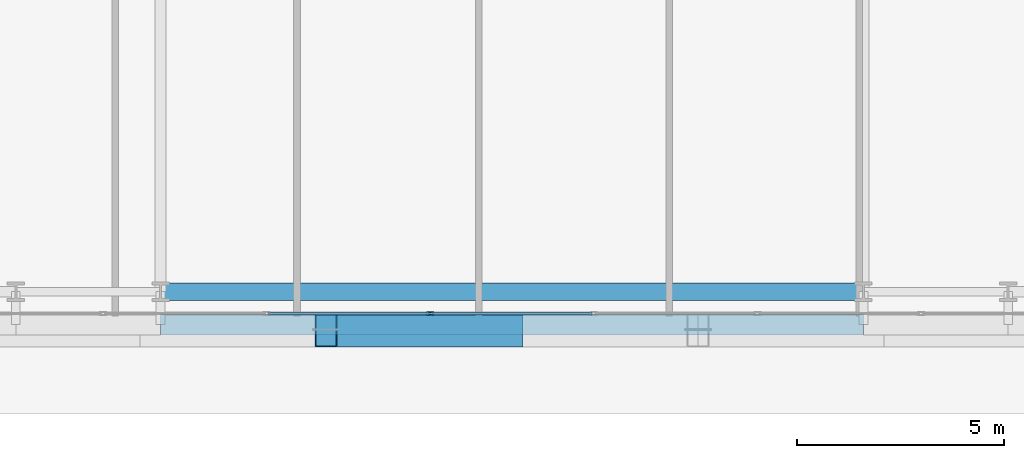
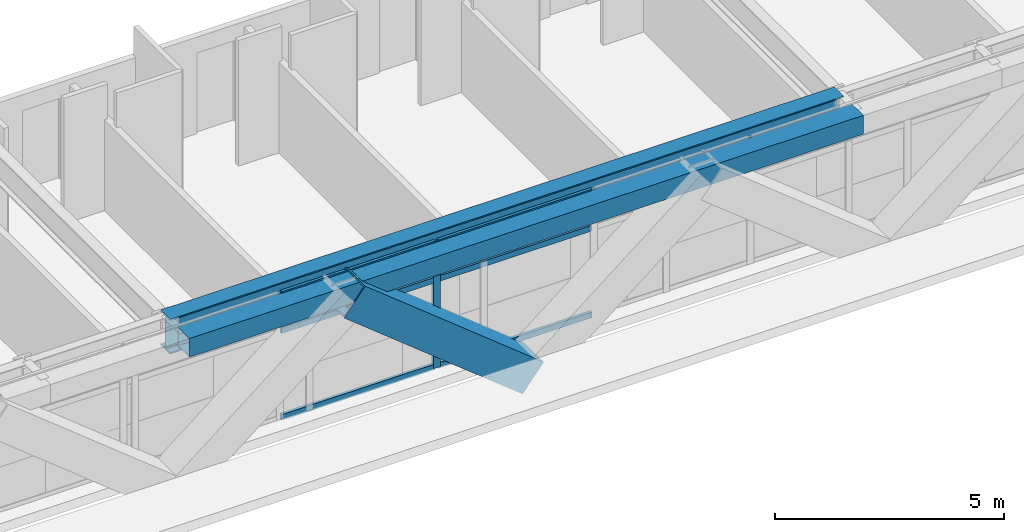
# One storey, part 4 of 35: 8 members, 2 beams, 1 element without a shape of its own.
"""IFC4 building model written with IfcOpenShell, lengths in metres."""

import ifcopenshell
import ifcopenshell.guid

model = None  # the IFC model being written
_history = None  # IfcOwnerHistory: only IFC2X3 demands one
_inside = {}  # id of a spatial element -> (the spatial element, [elements in it])
_under = {}  # id of a project, library or spatial element -> (it, [spatial elements below it])
_declared = {}  # id of a project -> (the project, [libraries it declares])
_typed = {}  # id of a type object -> (the type object, [elements of that type])
_made_of = {}  # id of a material, layer set ... -> (it, [elements and type objects made of it])


def new_model(schema):
    """Start an empty IFC model of exactly this schema.

    Asked for "IFC4X3", IfcOpenShell would pick the latest addendum, in which some entities
    have other attributes; the version numbers below select the first issue.
    IFC2X3 requires an IfcOwnerHistory on every rooted entity: one is made here for all.
    """
    global model, _history
    if schema == "IFC4X3":
        model = ifcopenshell.file(schema_version=(4, 3, 0, 0))
    else:
        model = ifcopenshell.file(schema=schema)
    _inside.clear()
    _under.clear()
    _declared.clear()
    _typed.clear()
    _made_of.clear()
    _history = None
    if model.schema == "IFC2X3":
        org = make("IfcOrganization", Name="unknown")
        user = make(
            "IfcPersonAndOrganization",
            ThePerson=make("IfcPerson", FamilyName="unknown"),
            TheOrganization=org,
        )
        app = make(
            "IfcApplication",
            ApplicationDeveloper=org,
            Version="unknown",
            ApplicationFullName="unknown",
            ApplicationIdentifier="unknown",
        )
        _history = make(
            "IfcOwnerHistory",
            OwningUser=user,
            OwningApplication=app,
            ChangeAction="ADDED",
            CreationDate=0,
        )
    return model


def make(cls, **values):
    """One entity of the class cls with the attributes given. An attribute that is None is left unset."""
    return model.create_entity(
        cls, **{name: value for name, value in values.items() if value is not None}
    )


def rooted(cls, **values):
    """An entity with a GlobalId (a new one), such as an element, a storey or a relation."""
    return make(cls, GlobalId=ifcopenshell.guid.new(), OwnerHistory=_history, **values)


def si_unit(unit_type, name, prefix=None):
    """IfcSIUnit, for example si_unit("LENGTHUNIT", "METRE", prefix="MILLI")."""
    return make("IfcSIUnit", UnitType=unit_type, Prefix=prefix, Name=name)


def assignment(units):
    """IfcUnitAssignment: the units of a project."""
    return None if units is None else make("IfcUnitAssignment", Units=units)


def point(xyz):
    """IfcCartesianPoint."""
    return None if xyz is None else make("IfcCartesianPoint", Coordinates=xyz)


def direction(xyz):
    """IfcDirection."""
    return None if xyz is None else make("IfcDirection", DirectionRatios=xyz)


def frame(location, z_axis=None, x_axis=None):
    """IfcAxis2Placement3D, a coordinate frame: its origin and axes. An axis left out is left unset."""
    return make(
        "IfcAxis2Placement3D",
        Location=point(location),
        Axis=direction(z_axis),
        RefDirection=direction(x_axis),
    )


def frame_2d(location, x_axis=None):
    """IfcAxis2Placement2D, a coordinate frame in the plane: its origin and x axis."""
    return make(
        "IfcAxis2Placement2D", Location=point(location), RefDirection=direction(x_axis)
    )


def origin():
    """The frame at (0, 0, 0) with its axes left unset."""
    return frame((0.0, 0.0, 0.0))


def origin_2d():
    """The frame at (0, 0) in the plane with its x axis left unset."""
    return frame_2d((0.0, 0.0))


def place(relative_to, where):
    """IfcLocalPlacement: puts the frame where relative to a parent placement (None: the world)."""
    return make(
        "IfcLocalPlacement", PlacementRelTo=relative_to, RelativePlacement=where
    )


def context(
    kind, dimensions, precision=None, world=None, true_north=None, identifier=None
):
    """IfcGeometricRepresentationContext, for example the 3D "Model" context."""
    return make(
        "IfcGeometricRepresentationContext",
        ContextIdentifier=identifier,
        ContextType=kind,
        CoordinateSpaceDimension=dimensions,
        Precision=precision,
        WorldCoordinateSystem=world,
        TrueNorth=true_north,
    )


def subcontext(parent, identifier, kind, view, scale=None):
    """IfcGeometricRepresentationSubContext, for example "Body" below "Model"."""
    return make(
        "IfcGeometricRepresentationSubContext",
        ContextIdentifier=identifier,
        ContextType=kind,
        ParentContext=parent,
        TargetScale=scale,
        TargetView=view,
    )


def project(units=None, contexts=None):
    """IfcProject with its units and contexts."""
    return rooted(
        "IfcProject",
        Name="project",
        RepresentationContexts=contexts,
        UnitsInContext=assignment(units),
    )


def spatial(cls, under=None, at=None, **own):
    """A site, building, storey or space (cls), placed at a placement, below another one or the project."""
    s = rooted(cls, ObjectPlacement=at, **own)
    if under is not None:
        _under.setdefault(under.id(), (under, []))[1].append(s)
    return s


def profile(cls, at=None, kind="AREA", **sizes):
    """A parametric profile (cls). Its sizes go by their IFC names, for example OverallWidth=200.0."""
    return make(cls, ProfileType=kind, Position=at, **sizes)


def hollow_rectangle(**sizes):
    """IfcRectangleHollowProfileDef."""
    return profile("IfcRectangleHollowProfileDef", **sizes)


def i_section(**sizes):
    """IfcIShapeProfileDef."""
    return profile("IfcIShapeProfileDef", **sizes)


def extrude(swept, where, along, depth):
    """IfcExtrudedAreaSolid: the profile swept, set in the frame where, extruded along a direction by depth."""
    return make(
        "IfcExtrudedAreaSolid",
        SweptArea=swept,
        Position=where,
        ExtrudedDirection=direction(along),
        Depth=depth,
    )


def shape(context_of_items, identifier, shape_type, items):
    """IfcShapeRepresentation: the items that make up one representation, for example the "Body"."""
    return make(
        "IfcShapeRepresentation",
        ContextOfItems=context_of_items,
        RepresentationIdentifier=identifier,
        RepresentationType=shape_type,
        Items=items,
    )


def source(mapping_origin, context_of_items, identifier, shape_type, items):
    """IfcRepresentationMap: a shape defined once, which mapped items show again and again."""
    return make(
        "IfcRepresentationMap",
        MappingOrigin=mapping_origin,
        MappedRepresentation=shape(context_of_items, identifier, shape_type, items),
    )


def transform(
    local_origin,
    x_axis=None,
    y_axis=None,
    z_axis=None,
    scale=None,
    scale2=None,
    scale3=None,
    uniform=True,
):
    """IfcCartesianTransformationOperator3D, or its non-uniform kind. x_axis, y_axis, z_axis: its Axis1, 2, 3."""
    if uniform:
        return make(
            "IfcCartesianTransformationOperator3D",
            Axis1=direction(x_axis),
            Axis2=direction(y_axis),
            LocalOrigin=point(local_origin),
            Scale=scale,
            Axis3=direction(z_axis),
        )
    return make(
        "IfcCartesianTransformationOperator3DnonUniform",
        Axis1=direction(x_axis),
        Axis2=direction(y_axis),
        LocalOrigin=point(local_origin),
        Scale=scale,
        Axis3=direction(z_axis),
        Scale2=scale2,
        Scale3=scale3,
    )


def mapped(mapping_source, mapping_target):
    """IfcMappedItem: shows the shape of a source again, moved by a transform."""
    return make(
        "IfcMappedItem", MappingSource=mapping_source, MappingTarget=mapping_target
    )


def material(Name=None, Category=None):
    """IfcMaterial."""
    return make("IfcMaterial", Name=Name, Category=Category)


def layer(
    of_material, thickness, ventilated=None, Name=None, Category=None, Priority=None
):
    """IfcMaterialLayer: one layer of a wall or slab, of a material (None: an air gap)."""
    return make(
        "IfcMaterialLayer",
        Material=of_material,
        LayerThickness=thickness,
        IsVentilated=ventilated,
        Name=Name,
        Category=Category,
        Priority=Priority,
    )


def layer_set(layers, Name=None):
    """IfcMaterialLayerSet."""
    return make("IfcMaterialLayerSet", MaterialLayers=layers, LayerSetName=Name)


def material_profile(
    of_material, cross_section, Name=None, Category=None, Priority=None
):
    """IfcMaterialProfile: a cross section and its material."""
    return make(
        "IfcMaterialProfile",
        Name=Name,
        Material=of_material,
        Profile=cross_section,
        Priority=Priority,
        Category=Category,
    )


def profile_set(profiles, Name=None, composite=None):
    """IfcMaterialProfileSet."""
    return make(
        "IfcMaterialProfileSet",
        Name=Name,
        MaterialProfiles=profiles,
        CompositeProfile=composite,
    )


def made_of(thing, what):
    """Note that an element or type object is made of a material, layer set ...; save() writes the relation."""
    if what is not None:
        _made_of.setdefault(what.id(), (what, []))[1].append(thing)
    return thing


def type_object(cls, material=None, **own):
    """A type object (cls), such as IfcWallType, which elements share."""
    return made_of(rooted(cls, **own), material)


def element(
    cls,
    number,
    at=None,
    inside=None,
    cuts=None,
    type_object=None,
    material=None,
    context=None,
    identifier="Body",
    shape_type=None,
    held_by="IfcProductDefinitionShape",
    body=None,
    shapes=None,
    **own,
):
    """One element of the class cls, such as IfcWall. Its Tag is "e" and its number.

    at: its placement. inside: the storey or other place that contains it. cuts: it is an
    opening in that element (IfcRelVoidsElement). A single representation is given by context,
    identifier, shape_type and body (its items); several are given by shapes. held_by: the class
    of the entity that holds the representations. save() writes the other relations.
    """
    e = rooted(cls, Tag="e%d" % number, ObjectPlacement=at, **own)
    if body is not None:
        shapes = [shape(context, identifier, shape_type, body)]
    if shapes is not None:
        e.Representation = make(held_by, Representations=shapes)
    if inside is not None:
        _inside.setdefault(inside.id(), (inside, []))[1].append(e)
    if cuts is not None:
        rooted(
            "IfcRelVoidsElement", RelatingBuildingElement=cuts, RelatedOpeningElement=e
        )
    if type_object is not None:
        _typed.setdefault(type_object.id(), (type_object, []))[1].append(e)
    return made_of(e, material)


def aggregate(whole, parts):
    """IfcRelAggregates: a whole, such as a stair, and the parts it consists of."""
    return rooted("IfcRelAggregates", RelatingObject=whole, RelatedObjects=parts)


def save(model, path):
    """Write the relations noted so far, then the file.

    IfcRelAggregates (storeys below a building ...), IfcRelContainedInSpatialStructure (elements
    in a storey), IfcRelDefinesByType, IfcRelAssociatesMaterial and IfcRelDeclares: one each for
    every whole, place, type object, material and project.
    """
    for whole, parts in _under.values():
        aggregate(whole, parts)
    for where, things in _inside.values():
        rooted(
            "IfcRelContainedInSpatialStructure",
            RelatedElements=things,
            RelatingStructure=where,
        )
    for kind, things in _typed.values():
        rooted("IfcRelDefinesByType", RelatedObjects=things, RelatingType=kind)
    for what, things in _made_of.values():
        rooted("IfcRelAssociatesMaterial", RelatedObjects=things, RelatingMaterial=what)
    for by, libraries in _declared.values():
        rooted("IfcRelDeclares", RelatingContext=by, RelatedDefinitions=libraries)
    model.write(path)


model = new_model("IFC4")

# Units and contexts
model_context = context("Model", 3, precision=1e-05, world=origin(), true_north=direction((0.0, 1.0)))
body_context = subcontext(model_context, "Body", "Model", "MODEL_VIEW")
ifc_project = project(units=[si_unit("LENGTHUNIT", "METRE"), si_unit("AREAUNIT", "SQUARE_METRE"), si_unit("VOLUMEUNIT", "CUBIC_METRE"), si_unit("PLANEANGLEUNIT", "RADIAN"), si_unit("MASSUNIT", "GRAM", prefix="KILO")], contexts=[model_context])

# Site, building, storey
site_placement = place(None, origin())
site = spatial("IfcSite", under=ifc_project, at=site_placement, CompositionType="ELEMENT")
building_placement = place(site_placement, origin())
building = spatial("IfcBuilding", under=site, at=building_placement, Name="Ocotamira Hotel", CompositionType="ELEMENT")
storey_placement = place(building_placement, frame((0.0, 0.0, 34.800048828125)))
storey = spatial("IfcBuildingStorey", under=building, at=storey_placement, Name="L07", CompositionType="ELEMENT", Elevation=34.800048828125)

# Beams
ifc_material_1 = material(Name="Steel ASTM A992 Grade 50", Category="steel")
ifc_material_profile_1 = material_profile(ifc_material_1, i_section(OverallWidth=0.41796875, OverallDepth=0.927001953125, WebThickness=0.019287109375, FlangeThickness=0.031982421875, FilletRadius=0.02392578125, at=origin_2d()), Name="W36X231")
ifc_profile_set_1 = profile_set([ifc_material_profile_1], Name="Steel ASTM A992 Grade 50")
beam_type_1 = type_object("IfcBeamType", Name="BM-GIRD-W36X231", PredefinedType="BEAM", material=ifc_profile_set_1)
shared_shape_1 = source(origin(), body_context, "Body", "SweptSolid", [
    extrude(i_section(OverallWidth=0.41796875, OverallDepth=0.927001953125, WebThickness=0.019287109375, FlangeThickness=0.031982421875, FilletRadius=0.02392578125, at=origin_2d()), origin(), (0.0, 0.0, 1.0), 17.0),
])
beam_1_placement = place(storey_placement, frame((23.5, 2.949951171875, 2.886474609375), z_axis=(1.0, 0.0, 0.0), x_axis=(0.0, 1.0, 0.0)))
element("IfcBeam", 1, at=beam_1_placement, inside=storey, type_object=beam_type_1, Name="L07 Girder Y2.95 X23.5-40.5", PredefinedType="BEAM", context=body_context, shape_type="MappedRepresentation", body=[
    mapped(shared_shape_1, transform((0.0, 0.0, 0.0), scale=1.0)),
])
ifc_material_2 = material(Name="Steel ASTM A500 Grade C", Category="steel")
ifc_material_profile_2 = material_profile(ifc_material_2, hollow_rectangle(XDim=0.5, YDim=0.5, WallThickness=0.02001953125, at=origin_2d()), Name="HSS500X500X20")
ifc_profile_set_2 = profile_set([ifc_material_profile_2], Name="Steel ASTM A500 Grade C")
beam_type_2 = type_object("IfcBeamType", Name="BM-SPAN-HSS500", PredefinedType="USERDEFINED", material=ifc_profile_set_2)
shared_shape_2 = source(origin(), body_context, "Body", "SweptSolid", [
    extrude(hollow_rectangle(XDim=0.5, YDim=0.5, WallThickness=0.02001953125, at=origin_2d()), origin(), (0.0, 0.0, 1.0), 17.0),
])
beam_2_placement = place(storey_placement, frame((23.5, 2.14990234375, 3.099853515625), z_axis=(1.0, 0.0, 0.0), x_axis=(0.0, 1.0, 0.0)))
element("IfcBeam", 2, at=beam_2_placement, inside=storey, type_object=beam_type_2, Name="L07 Edge Spandrel S X23.5-40.5", ObjectType="SPANDREL", PredefinedType="USERDEFINED", context=body_context, shape_type="MappedRepresentation", body=[
    mapped(shared_shape_2, transform((0.0, 0.0, 0.0), scale=1.0)),
])

# Member
ifc_material_3 = material(Name="Pale-metal coated steel ASTM A913 Grade 65", Category="steel")
ifc_material_profile_3 = material_profile(ifc_material_3, hollow_rectangle(XDim=0.85009765625, YDim=0.85009765625, WallThickness=0.035888671875, at=origin_2d()), Name="BOX850X850X36")
ifc_profile_set_3 = profile_set([ifc_material_profile_3], Name="Pale-metal coated steel ASTM A913 Grade 65")
member_type_1 = type_object("IfcMemberType", Name="MEM-EXO-BOX850", PredefinedType="BRACE", material=ifc_profile_set_3)
shared_shape_3 = source(origin(), body_context, "Body", "SweptSolid", [
    extrude(hollow_rectangle(XDim=0.85009765625, YDim=0.85009765625, WallThickness=0.035888671875, at=origin_2d()), origin(), (0.0, 0.0, 1.0), 5.7626953125),
])
member_1_placement = place(storey_placement, frame((32.0, 2.030029296875, -0.5), z_axis=(-0.780881208953, 0.0, 0.624679547852), x_axis=(0.0, -1.0, 0.0)))
element("IfcMember", 3, at=member_1_placement, inside=storey, type_object=member_type_1, Name="L07 Exoskeleton Diagrid S1.2", PredefinedType="BRACE", context=body_context, shape_type="MappedRepresentation", body=[
    mapped(shared_shape_3, transform((0.0, 0.0, 0.0), scale=1.0)),
])

# Curtain wall, members
ifc_material_4 = material(Name="Anodised pale-metal aluminium and solar glass", Category="aluminium")
ifc_layer = layer(ifc_material_4, 0.179931640625)
ifc_layer_set = layer_set([ifc_layer], Name="Anodised pale-metal aluminium and solar glass")
curtain_wall_type = type_object("IfcCurtainWallType", Name="CW-SYS2-Z1", PredefinedType="NOTDEFINED", material=ifc_layer_set)
curtain_wall_placement = place(storey_placement, origin())
curtain_wall = element("IfcCurtainWall", 4, at=curtain_wall_placement, inside=storey, type_object=curtain_wall_type, Name="L07 Curtain Wall CW-2 CW-L07-S1", PredefinedType="NOTDEFINED")
ifc_material_5 = material(Name="Anodised pale-metal aluminium 6063-T6", Category="aluminium")
ifc_material_profile_4 = material_profile(ifc_material_5, hollow_rectangle(XDim=0.080078125, YDim=0.179931640625, WallThickness=0.006103515625, at=origin_2d()), Name="HSS180X80X6")
ifc_profile_set_4 = profile_set([ifc_material_profile_4], Name="Anodised pale-metal aluminium 6063-T6")
member_type_2 = type_object("IfcMemberType", Name="CWM-180X75", PredefinedType="MULLION", material=ifc_profile_set_4)
shared_shape_4 = source(origin(), body_context, "Body", "SweptSolid", [
    extrude(hollow_rectangle(XDim=0.080078125, YDim=0.179931640625, WallThickness=0.006103515625, at=origin_2d()), origin(), (0.0, 0.0, 1.0), 3.349853515625),
])
member_2_placement = place(storey_placement, frame((30.022216796875, 2.419921875, 0.0), z_axis=(0.0, 0.0, 1.0), x_axis=(0.0, 1.0, 0.0)))
member_2 = element("IfcMember", 5, at=member_2_placement, type_object=member_type_2, Name="CW-2 mullion 5", PredefinedType="MULLION", context=body_context, shape_type="MappedRepresentation", body=[
    mapped(shared_shape_4, transform((0.0, 0.0, 0.0), scale=1.0)),
])
ifc_material_profile_5 = material_profile(ifc_material_5, hollow_rectangle(XDim=0.074951171875, YDim=0.14990234375, WallThickness=0.006103515625, at=origin_2d()), Name="HSS150X75X6")
ifc_profile_set_5 = profile_set([ifc_material_profile_5], Name="Anodised pale-metal aluminium 6063-T6")
member_type_3 = type_object("IfcMemberType", Name="CWT-150X75", PredefinedType="USERDEFINED", material=ifc_profile_set_5)
shared_shape_5 = source(origin(), body_context, "Body", "SweptSolid", [
    extrude(hollow_rectangle(XDim=0.074951171875, YDim=0.14990234375, WallThickness=0.006103515625, at=origin_2d()), origin(), (0.0, 0.0, 1.0), 3.87548828125),
])
member_3_placement = place(storey_placement, frame((26.106689453125, 2.419921875, 0.037353515625), z_axis=(1.0, 0.0, 0.0), x_axis=(0.0, 1.0, 0.0)))
member_3 = element("IfcMember", 6, at=member_3_placement, type_object=member_type_3, Name="CW-2 transom 4.1", ObjectType="TRANSOM", PredefinedType="USERDEFINED", context=body_context, shape_type="MappedRepresentation", body=[
    mapped(shared_shape_5, transform((0.0, 0.0, 0.0), scale=1.0)),
])
member_4_placement = place(storey_placement, frame((26.106689453125, 2.419921875, 2.349853515625), z_axis=(1.0, 0.0, 0.0), x_axis=(0.0, 1.0, 0.0)))
member_4 = element("IfcMember", 7, at=member_4_placement, type_object=member_type_3, Name="CW-2 transom 4.2", ObjectType="TRANSOM", PredefinedType="USERDEFINED", context=body_context, shape_type="MappedRepresentation", body=[
    mapped(shared_shape_5, transform((0.0, 0.0, 0.0), scale=1.0)),
])
member_5_placement = place(storey_placement, frame((26.106689453125, 2.419921875, 3.3125), z_axis=(1.0, 0.0, 0.0), x_axis=(0.0, 1.0, 0.0)))
member_5 = element("IfcMember", 8, at=member_5_placement, type_object=member_type_3, Name="CW-2 transom 4.3", ObjectType="TRANSOM", PredefinedType="USERDEFINED", context=body_context, shape_type="MappedRepresentation", body=[
    mapped(shared_shape_5, transform((0.0, 0.0, 0.0), scale=1.0)),
])
member_6_placement = place(storey_placement, frame((30.062255859375, 2.419921875, 0.037353515625), z_axis=(1.0, 0.0, 0.0), x_axis=(0.0, 1.0, 0.0)))
member_6 = element("IfcMember", 9, at=member_6_placement, type_object=member_type_3, Name="CW-2 transom 5.1", ObjectType="TRANSOM", PredefinedType="USERDEFINED", context=body_context, shape_type="MappedRepresentation", body=[
    mapped(shared_shape_5, transform((0.0, 0.0, 0.0), scale=1.0)),
])
member_7_placement = place(storey_placement, frame((30.062255859375, 2.419921875, 2.349853515625), z_axis=(1.0, 0.0, 0.0), x_axis=(0.0, 1.0, 0.0)))
member_7 = element("IfcMember", 10, at=member_7_placement, type_object=member_type_3, Name="CW-2 transom 5.2", ObjectType="TRANSOM", PredefinedType="USERDEFINED", context=body_context, shape_type="MappedRepresentation", body=[
    mapped(shared_shape_5, transform((0.0, 0.0, 0.0), scale=1.0)),
])
member_8_placement = place(storey_placement, frame((30.062255859375, 2.419921875, 3.3125), z_axis=(1.0, 0.0, 0.0), x_axis=(0.0, 1.0, 0.0)))
member_8 = element("IfcMember", 11, at=member_8_placement, type_object=member_type_3, Name="CW-2 transom 5.3", ObjectType="TRANSOM", PredefinedType="USERDEFINED", context=body_context, shape_type="MappedRepresentation", body=[
    mapped(shared_shape_5, transform((0.0, 0.0, 0.0), scale=1.0)),
])
aggregate(curtain_wall, [member_2, member_3, member_4, member_5, member_6, member_7, member_8])

save(model, "model.ifc")
